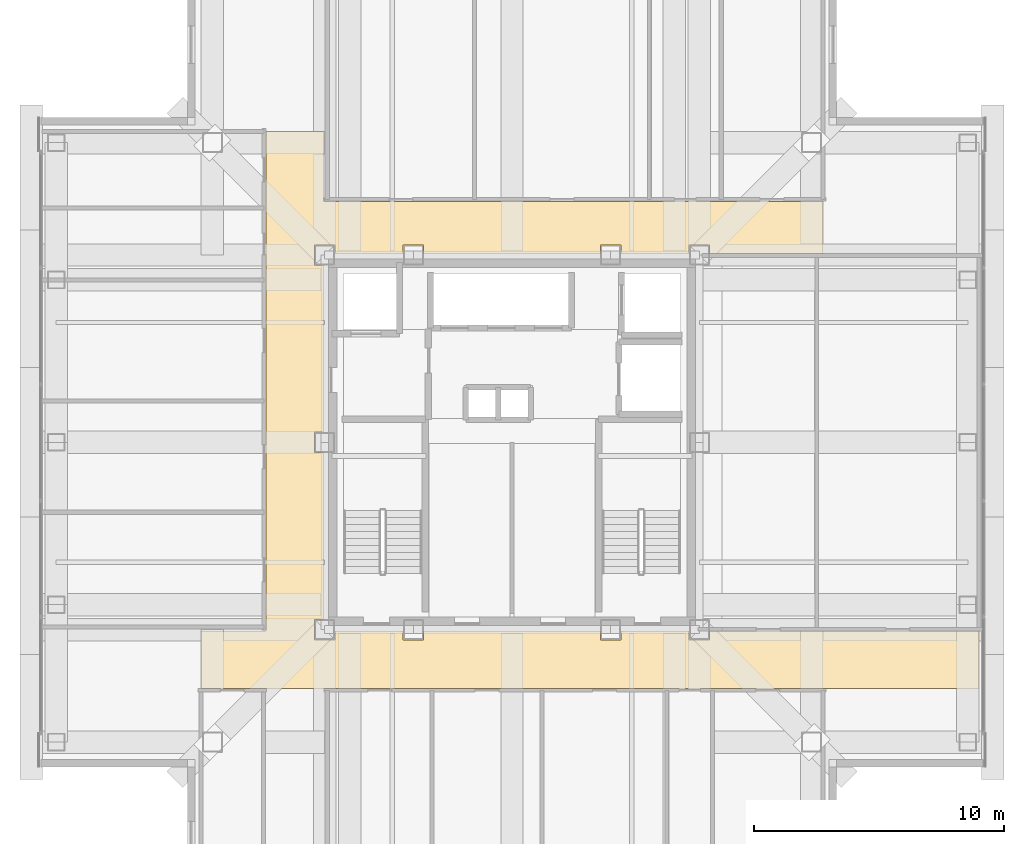
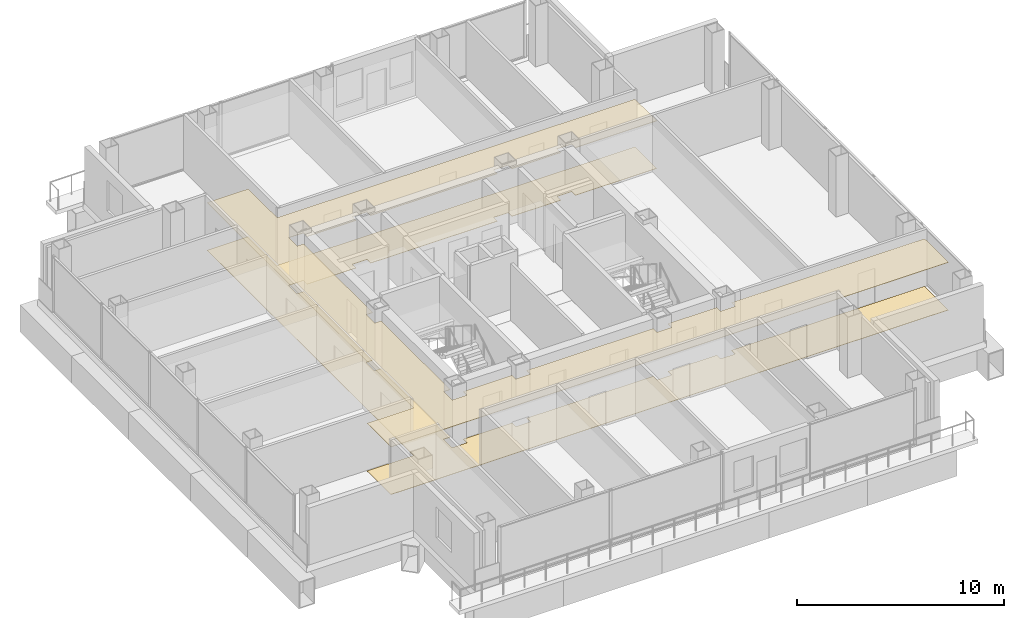
# One storey, part 13 of 15: 2 coverings.
"""IFC4 building model written with IfcOpenShell, lengths in metres."""

from ifc_helpers import new_model, si_unit, direction, frame, origin, place, context, subcontext, project, spatial, polyline, outline, extrude, material, layer, layer_set, type_object, element, save


model = new_model("IFC4")

# Units and contexts
model_context = context("Model", 3, precision=1e-05, world=origin(), true_north=direction((0.0, 1.0)))
body_context = subcontext(model_context, "Body", "Model", "MODEL_VIEW")
ifc_project = project(units=[si_unit("LENGTHUNIT", "METRE"), si_unit("AREAUNIT", "SQUARE_METRE"), si_unit("VOLUMEUNIT", "CUBIC_METRE"), si_unit("PLANEANGLEUNIT", "RADIAN"), si_unit("MASSUNIT", "GRAM", prefix="KILO")], contexts=[model_context])

# Site, building, storey
site_placement = place(None, origin())
site = spatial("IfcSite", under=ifc_project, at=site_placement, CompositionType="ELEMENT")
building_placement = place(site_placement, origin())
building = spatial("IfcBuilding", under=site, at=building_placement, Name="Trevonay Congress Spire", CompositionType="ELEMENT")
storey_placement = place(building_placement, frame((0.0, 0.0, 232.39990234375)))
storey = spatial("IfcBuildingStorey", under=building, at=storey_placement, Name="L60", CompositionType="ELEMENT", Elevation=232.39990234375)

# Coverings
ifc_material_1 = material(Name="Acoustic Mineral Fibre Board", Category="gypsum")
ifc_layer_1 = layer(ifc_material_1, 0.02490234375, Name="Acoustic Mineral Fibre Board")
ifc_layer_set_1 = layer_set([ifc_layer_1], Name="Acoustic Mineral Fibre Board")
covering_type_1 = type_object("IfcCoveringType", Name="COV-CEIL-ACOUSTIC", PredefinedType="CEILING", material=ifc_layer_set_1)
covering_1_placement = place(storey_placement, frame((0.0, 0.0, 2.81005859375)))
element("IfcCovering", 1, at=covering_1_placement, inside=storey, type_object=covering_type_1, Name="L60 Cruciform Boulevard Corridor acoustic suspended ceiling", PredefinedType="CEILING", context=body_context, shape_type="SweptSolid", body=[
    extrude(outline(polyline([(18.699951171875, -7.550048828125), (18.699951171875, -9.85009765625), (-12.449951171875, -9.85009765625), (-12.449951171875, -7.550048828125), (-9.85009765625, -7.550048828125), (-9.85009765625, 12.449951171875), (-7.550048828125, 12.449951171875), (-7.550048828125, 9.64990234375), (12.449951171875, 9.64990234375), (12.449951171875, 7.550048828125), (7.909912109375, 7.550048828125), (7.909912109375, 7.909912109375), (7.090087890625, 7.909912109375), (7.090087890625, 7.550048828125), (4.360107421875, 7.550048828125), (4.360107421875, 7.909912109375), (3.5400390625, 7.909912109375), (3.5400390625, 7.550048828125), (-3.5400390625, 7.550048828125), (-3.5400390625, 7.909912109375), (-4.360107421875, 7.909912109375), (-4.360107421875, 7.550048828125), (-7.090087890625, 7.550048828125), (-7.090087890625, 7.909912109375), (-7.909912109375, 7.909912109375), (-7.909912109375, 7.090087890625), (-7.550048828125, 7.090087890625), (-7.550048828125, 0.409912109375), (-7.909912109375, 0.409912109375), (-7.909912109375, -0.409912109375), (-7.550048828125, -0.409912109375), (-7.550048828125, -7.090087890625), (-7.909912109375, -7.090087890625), (-7.909912109375, -7.909912109375), (-7.090087890625, -7.909912109375), (-7.090087890625, -7.550048828125), (-4.360107421875, -7.550048828125), (-4.360107421875, -7.909912109375), (-3.5400390625, -7.909912109375), (-3.5400390625, -7.550048828125), (3.5400390625, -7.550048828125), (3.5400390625, -7.909912109375), (4.360107421875, -7.909912109375), (4.360107421875, -7.550048828125), (7.090087890625, -7.550048828125), (7.090087890625, -7.909912109375), (7.909912109375, -7.909912109375), (7.909912109375, -7.550048828125), (18.699951171875, -7.550048828125)])), origin(), (0.0, 0.0, 1.0), 0.025146484375),
])
ifc_material_2 = material(Name="Polished Granite Floor Tile", Category="masonry")
ifc_layer_2 = layer(ifc_material_2, 0.02001953125, Name="Polished Granite Floor Tile")
ifc_layer_set_2 = layer_set([ifc_layer_2], Name="Polished Granite Floor Tile")
covering_type_2 = type_object("IfcCoveringType", Name="COV-FLOOR-STONE", PredefinedType="FLOORING", material=ifc_layer_set_2)
covering_2_placement = place(storey_placement, origin())
element("IfcCovering", 2, at=covering_2_placement, inside=storey, type_object=covering_type_2, Name="L60 Cruciform Boulevard Corridor floor finish", PredefinedType="FLOORING", context=body_context, shape_type="SweptSolid", body=[
    extrude(outline(polyline([(18.699951171875, -7.550048828125), (18.699951171875, -9.85009765625), (-12.449951171875, -9.85009765625), (-12.449951171875, -7.550048828125), (-9.85009765625, -7.550048828125), (-9.85009765625, 12.449951171875), (-7.550048828125, 12.449951171875), (-7.550048828125, 9.64990234375), (12.449951171875, 9.64990234375), (12.449951171875, 7.550048828125), (7.909912109375, 7.550048828125), (7.909912109375, 7.909912109375), (7.090087890625, 7.909912109375), (7.090087890625, 7.550048828125), (4.360107421875, 7.550048828125), (4.360107421875, 7.909912109375), (3.5400390625, 7.909912109375), (3.5400390625, 7.550048828125), (-3.5400390625, 7.550048828125), (-3.5400390625, 7.909912109375), (-4.360107421875, 7.909912109375), (-4.360107421875, 7.550048828125), (-7.090087890625, 7.550048828125), (-7.090087890625, 7.909912109375), (-7.909912109375, 7.909912109375), (-7.909912109375, 7.090087890625), (-7.550048828125, 7.090087890625), (-7.550048828125, 0.409912109375), (-7.909912109375, 0.409912109375), (-7.909912109375, -0.409912109375), (-7.550048828125, -0.409912109375), (-7.550048828125, -7.090087890625), (-7.909912109375, -7.090087890625), (-7.909912109375, -7.909912109375), (-7.090087890625, -7.909912109375), (-7.090087890625, -7.550048828125), (-4.360107421875, -7.550048828125), (-4.360107421875, -7.909912109375), (-3.5400390625, -7.909912109375), (-3.5400390625, -7.550048828125), (3.5400390625, -7.550048828125), (3.5400390625, -7.909912109375), (4.360107421875, -7.909912109375), (4.360107421875, -7.550048828125), (7.090087890625, -7.550048828125), (7.090087890625, -7.909912109375), (7.909912109375, -7.909912109375), (7.909912109375, -7.550048828125), (18.699951171875, -7.550048828125)])), origin(), (0.0, 0.0, 1.0), 0.02001953125),
])

save(model, "model.ifc")
